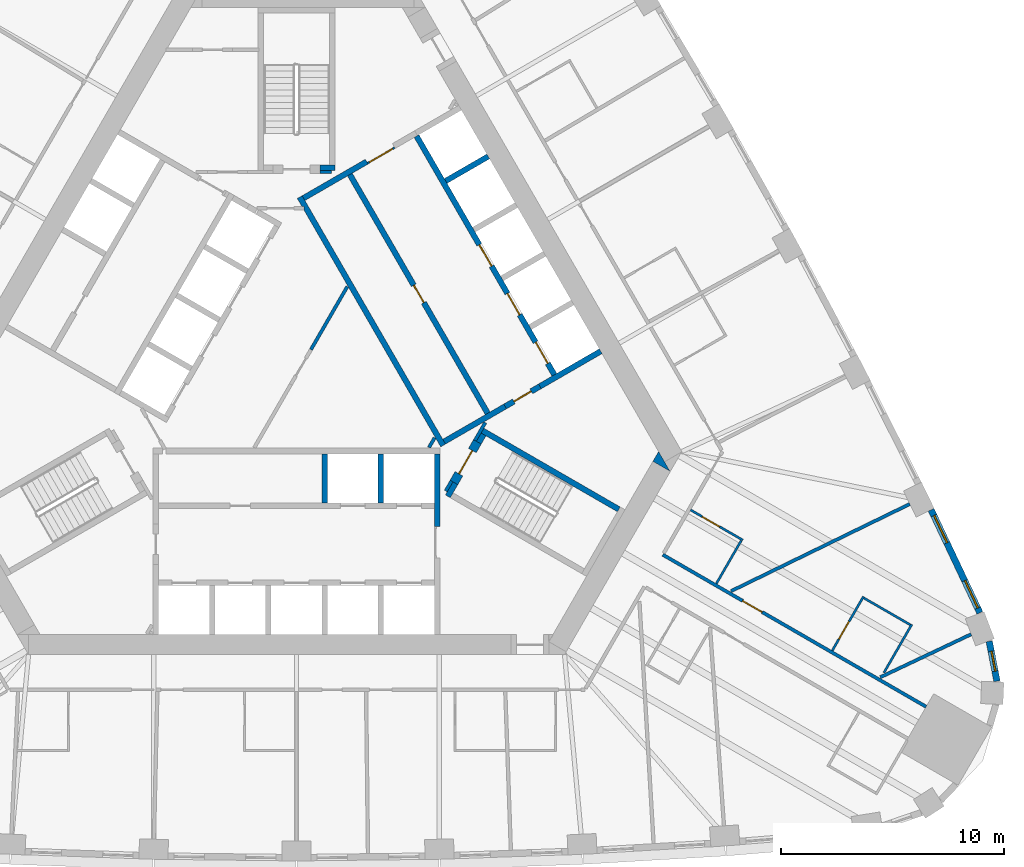
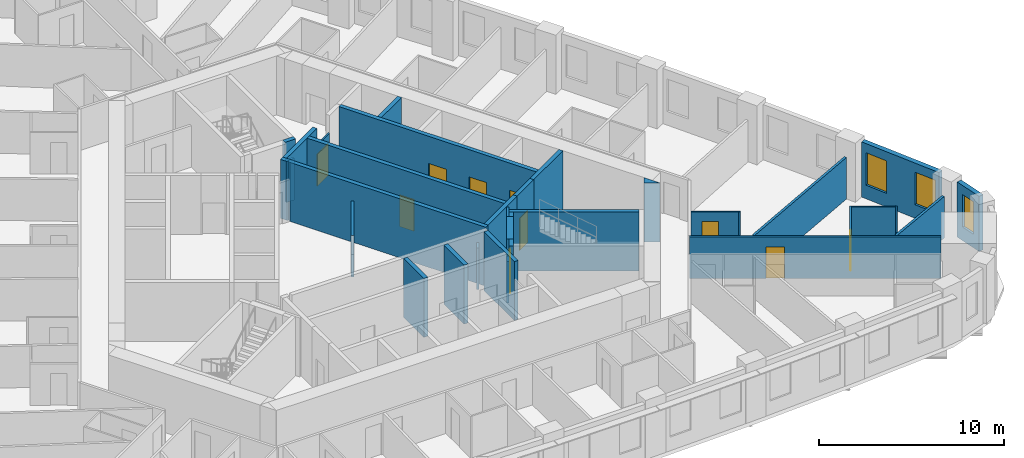
# One storey, part 8 of 13: 33 walls, 10 doors, 3 windows, 13 openings.
"""IFC4 building model written with IfcOpenShell, lengths in metres."""

from ifc_helpers import new_model, si_unit, direction, frame, frame_2d, origin, place, context, subcontext, project, spatial, polyline, rectangle, outline, extrude, material, layer, layer_set, type_object, element, fill, save


model = new_model("IFC4")

# Units and contexts
model_context = context("Model", 3, precision=1e-05, world=origin(), true_north=direction((0.0, 1.0)))
body_context = subcontext(model_context, "Body", "Model", "MODEL_VIEW")
ifc_project = project(units=[si_unit("LENGTHUNIT", "METRE"), si_unit("AREAUNIT", "SQUARE_METRE"), si_unit("VOLUMEUNIT", "CUBIC_METRE"), si_unit("PLANEANGLEUNIT", "RADIAN"), si_unit("MASSUNIT", "GRAM", prefix="KILO")], contexts=[model_context])

# Site, building, storey
site_placement = place(None, origin())
site = spatial("IfcSite", under=ifc_project, at=site_placement, CompositionType="ELEMENT")
building_placement = place(site_placement, origin())
building = spatial("IfcBuilding", under=site, at=building_placement, Name="Mestral Congress Tower", CompositionType="ELEMENT")
storey_placement = place(building_placement, frame((0.0, 0.0, 83.699951171875)))
storey = spatial("IfcBuildingStorey", under=building, at=storey_placement, Name="L19", CompositionType="ELEMENT", Elevation=83.699951171875)

# Walls
ifc_material_1 = material(Name="Fire-rated board partition")
ifc_layer_1 = layer(ifc_material_1, 0.14990234375)
ifc_layer_set_1 = layer_set([ifc_layer_1], Name="Fire-rated board partition")
wall_type_1 = type_object("IfcWallType", Name="Core partition 150", PredefinedType="PARTITIONING", material=ifc_layer_set_1)
wall_1_placement = place(storey_placement, frame((6.94482421875, -5.22216796875, 0.0), z_axis=(0.0, 0.0, 1.0), x_axis=(-0.499818422106, -0.866130212453, 0.0)))
element("IfcWall", 1, at=wall_1_placement, inside=storey, type_object=wall_type_1, Name="L19 core wall", PredefinedType="PARTITIONING", context=body_context, shape_type="SweptSolid", body=[
    extrude(rectangle(XDim=0.513916015625, YDim=0.14990234375, at=frame_2d((0.2568359375, 0.0))), origin(), (0.0, 0.0, 1.0), 2.75),
])
wall_2_placement = place(storey_placement, frame((5.935791015625, -3.718017578125, 0.0), z_axis=(0.0, 0.0, 1.0), x_axis=(0.499890179513, 0.866088799389, 0.0)))
element("IfcWall", 2, at=wall_2_placement, inside=storey, type_object=wall_type_1, Name="L19 core wall", PredefinedType="PARTITIONING", context=body_context, shape_type="SweptSolid", body=[
    extrude(rectangle(XDim=0.50390625, YDim=0.14990234375, at=frame_2d((0.251953125, 0.0))), origin(), (0.0, 0.0, 1.0), 2.75),
])
wall_3_placement = place(storey_placement, frame((0.64501953125, 0.6669921875, 0.0), z_axis=(0.0, 0.0, 1.0), x_axis=(0.499977178999, 0.866038579095, 0.0)))
element("IfcWall", 3, at=wall_3_placement, inside=storey, type_object=wall_type_1, Name="L19 core wall", PredefinedType="PARTITIONING", context=body_context, shape_type="SweptSolid", body=[
    extrude(rectangle(XDim=3.263427734375, YDim=0.14990234375, at=frame_2d((1.6318359375, 0.0))), origin(), (0.0, 0.0, 1.0), 2.75),
])
wall_4_placement = place(storey_placement, frame((1.050048828125, 8.62548828125, 0.0), z_axis=(0.0, 0.0, 1.0), x_axis=(1.0, 0.0, 0.0)))
element("IfcWall", 4, at=wall_4_placement, inside=storey, type_object=wall_type_1, Name="L19 core wall", PredefinedType="PARTITIONING", context=body_context, shape_type="SweptSolid", body=[
    extrude(rectangle(XDim=0.513916015625, YDim=0.14990234375, at=frame_2d((0.2568359375, 0.0))), origin(), (0.0, 0.0, 1.0), 2.75),
])

# Wall, opening, door
ifc_layer_2 = layer(ifc_material_1, 0.090087890625)
ifc_layer_set_2 = layer_set([ifc_layer_2], Name="Fire-rated board partition")
wall_type_2 = type_object("IfcWallType", Name="Core partition 150 door-wall 90", PredefinedType="PARTITIONING", material=ifc_layer_set_2)
wall_5_placement = place(storey_placement, frame((3.182861328125, 9.02001953125, 0.0), z_axis=(0.0, 0.0, 1.0), x_axis=(0.866034573852, 0.49998411664, 0.0)))
wall_5 = element("IfcWall", 5, at=wall_5_placement, inside=storey, type_object=wall_type_2, Name="L19 door wall", PredefinedType="PARTITIONING", context=body_context, shape_type="SweptSolid", body=[
    extrude(rectangle(XDim=1.39990234375, YDim=0.090087890625, at=frame_2d((0.699951171875, 0.0))), origin(), (0.0, 0.0, 1.0), 2.75),
])
opening_1_placement = place(wall_5_placement, frame((0.10009765625, 0.0, 0.0)))
opening_1 = element("IfcOpeningElement", 6, at=opening_1_placement, cuts=wall_5, Name="Opening LB1-WL2", PredefinedType="OPENING", context=body_context, shape_type="SweptSolid", body=[
    extrude(rectangle(XDim=1.199951171875, YDim=2.10009765625, at=frame_2d((0.60009765625, 1.050048828125))), frame((0.0, 0.054931640625, 0.0), z_axis=(0.0, -1.0, 0.0), x_axis=(1.0, 0.0, 0.0)), (0.0, 0.0, 1.0), 0.110107421875),
])
ifc_material_2 = material(Name="Fire-rated steel door set", Category="steel")
door_type_1 = type_object("IfcDoorType", Name="Core door LB 1200x2100", OperationType="SINGLE_SWING_LEFT", PredefinedType="DOOR", material=ifc_material_2)
door_1_placement = place(opening_1_placement, origin())
door_1 = element("IfcDoor", 7, at=door_1_placement, inside=storey, type_object=door_type_1, Name="Door LB1-WL2", OperationType="SINGLE_SWING_LEFT", OverallHeight=2.10009765625, OverallWidth=1.199951171875, PredefinedType="DOOR", context=body_context, shape_type="SweptSolid", body=[
    extrude(rectangle(XDim=1.199951171875, YDim=2.10009765625, at=frame_2d((0.60009765625, 1.050048828125))), frame((0.0, 0.02490234375, 0.0), z_axis=(0.0, -1.0, 0.0), x_axis=(1.0, 0.0, 0.0)), (0.0, 0.0, 1.0), 0.050048828125),
])
fill(opening_1, door_1)

# Wall
ifc_material_3 = material(Name="Concrete C60/75", Category="concrete")
ifc_layer_3 = layer(ifc_material_3, 0.89990234375)
ifc_layer_set_3 = layer_set([ifc_layer_3], Name="Concrete C60/75")
wall_type_3 = type_object("IfcWallType", Name="Core wall RC 900", PredefinedType="SOLIDWALL", material=ifc_layer_set_3)
placement = place(storey_placement, origin())
element("IfcWall", 8, at=placement, inside=storey, type_object=wall_type_3, Name="L19 core wall", PredefinedType="SOLIDWALL", context=body_context, shape_type="SweptSolid", body=[
    extrude(outline(polyline([(16.223388671875, -3.900146484375), (16.731689453125, -4.780029296875), (15.969482421875, -4.340087890625), (16.223388671875, -3.900146484375)])), origin(), (0.0, 0.0, 1.0), 3.900146484375),
])

# Wall, opening, window
ifc_material_4 = material(Name="Precast concrete C40/50 with limestone facing", Category="masonry")
ifc_layer_4 = layer(ifc_material_4, 0.2900390625)
ifc_layer_set_4 = layer_set([ifc_layer_4], Name="Precast concrete C40/50 with limestone facing")
wall_type_4 = type_object("IfcWallType", Name="Facade stone wall 290", PredefinedType="SOLIDWALL", material=ifc_layer_set_4)
wall_7_placement = place(storey_placement, frame((31.385498046875, -14.189208984375, 0.0), z_axis=(0.0, 0.0, 1.0), x_axis=(-0.190409913989, 0.981704672829, 0.0)))
wall_7 = element("IfcWall", 9, at=wall_7_placement, inside=storey, type_object=wall_type_4, Name="Facade wall K0-3", PredefinedType="SOLIDWALL", context=body_context, shape_type="SweptSolid", body=[
    extrude(rectangle(XDim=1.8193359375, YDim=0.2900390625, at=frame_2d((0.90966796875, 0.0))), origin(), (0.0, 0.0, 1.0), 3.650146484375),
])
opening_2_placement = place(wall_7_placement, frame((0.459716796875, 0.0, 0.89990234375)))
opening_2 = element("IfcOpeningElement", 10, at=opening_2_placement, cuts=wall_7, Name="Opening W3", PredefinedType="OPENING", context=body_context, shape_type="SweptSolid", body=[
    extrude(rectangle(XDim=0.89990234375, YDim=2.14990234375, at=frame_2d((0.449951171875, 1.074951171875))), frame((0.0, 0.155029296875, 0.0), z_axis=(0.0, -1.0, 0.0), x_axis=(1.0, 0.0, 0.0)), (0.0, 0.0, 1.0), 0.31005859375),
])
ifc_material_5 = material(Name="Clear low-emissivity double glazing", Category="glass")
window_type_1 = type_object("IfcWindowType", Name="Facade punched window 900 x 2150 sill 900", PartitioningType="SINGLE_PANEL", PredefinedType="WINDOW", material=ifc_material_5)
window_1_placement = place(opening_2_placement, origin())
window_1 = element("IfcWindow", 11, at=window_1_placement, inside=storey, type_object=window_type_1, Name="Window K0-3", OverallHeight=2.14990234375, OverallWidth=0.89990234375, PartitioningType="SINGLE_PANEL", PredefinedType="WINDOW", context=body_context, shape_type="SweptSolid", body=[
    extrude(rectangle(XDim=0.89990234375, YDim=2.14990234375, at=frame_2d((0.449951171875, 1.074951171875))), frame((0.0, 0.01513671875, 0.0), z_axis=(0.0, -1.0, 0.0), x_axis=(1.0, 0.0, 0.0)), (0.0, 0.0, 1.0), 0.06005859375),
])
fill(opening_2, window_1)

# Wall, openings, windows
wall_8_placement = place(storey_placement, frame((30.61962890625, -11.127197265625, 0.0), z_axis=(0.0, 0.0, 1.0), x_axis=(-0.427543726596, 0.903994669148, 0.0)))
wall_8 = element("IfcWall", 12, at=wall_8_placement, inside=storey, type_object=wall_type_4, Name="Facade wall F1-00", PredefinedType="SOLIDWALL", context=body_context, shape_type="SweptSolid", body=[
    extrude(rectangle(XDim=5.106689453125, YDim=0.2900390625, at=frame_2d((2.55322265625, 0.0))), origin(), (0.0, 0.0, 1.0), 3.650146484375),
])
opening_3_placement = place(wall_8_placement, frame((0.240478515625, 0.0, 0.89990234375)))
opening_3 = element("IfcOpeningElement", 13, at=opening_3_placement, cuts=wall_8, Name="Opening W2", PredefinedType="OPENING", context=body_context, shape_type="SweptSolid", body=[
    extrude(rectangle(XDim=1.35009765625, YDim=2.14990234375, at=frame_2d((0.675048828125, 1.074951171875))), frame((0.0, 0.155029296875, 0.0), z_axis=(0.0, -1.0, 0.0), x_axis=(1.0, 0.0, 0.0)), (0.0, 0.0, 1.0), 0.31005859375),
])
opening_4_placement = place(wall_8_placement, frame((3.47119140625, 0.0, 0.89990234375)))
opening_4 = element("IfcOpeningElement", 14, at=opening_4_placement, cuts=wall_8, Name="Opening W2", PredefinedType="OPENING", context=body_context, shape_type="SweptSolid", body=[
    extrude(rectangle(XDim=1.35009765625, YDim=2.14990234375, at=frame_2d((0.675048828125, 1.074951171875))), frame((0.0, 0.155029296875, 0.0), z_axis=(0.0, -1.0, 0.0), x_axis=(1.0, 0.0, 0.0)), (0.0, 0.0, 1.0), 0.31005859375),
])
window_type_2 = type_object("IfcWindowType", Name="Facade punched window 1350 x 2150 sill 900", PartitioningType="DOUBLE_PANEL_VERTICAL", PredefinedType="WINDOW", material=ifc_material_5)
window_2_placement = place(opening_3_placement, origin())
window_2 = element("IfcWindow", 15, at=window_2_placement, inside=storey, type_object=window_type_2, Name="Window F1-00a", OverallHeight=2.14990234375, OverallWidth=1.35009765625, PartitioningType="DOUBLE_PANEL_VERTICAL", PredefinedType="WINDOW", context=body_context, shape_type="SweptSolid", body=[
    extrude(rectangle(XDim=1.35009765625, YDim=2.14990234375, at=frame_2d((0.675048828125, 1.074951171875))), frame((0.0, 0.01513671875, 0.0), z_axis=(0.0, -1.0, 0.0), x_axis=(1.0, 0.0, 0.0)), (0.0, 0.0, 1.0), 0.06005859375),
])
fill(opening_3, window_2)
window_3_placement = place(opening_4_placement, origin())
window_3 = element("IfcWindow", 16, at=window_3_placement, inside=storey, type_object=window_type_2, Name="Window F1-00b", OverallHeight=2.14990234375, OverallWidth=1.35009765625, PartitioningType="DOUBLE_PANEL_VERTICAL", PredefinedType="WINDOW", context=body_context, shape_type="SweptSolid", body=[
    extrude(rectangle(XDim=1.35009765625, YDim=2.14990234375, at=frame_2d((0.675048828125, 1.074951171875))), frame((0.0, 0.01513671875, 0.0), z_axis=(0.0, -1.0, 0.0), x_axis=(1.0, 0.0, 0.0)), (0.0, 0.0, 1.0), 0.06005859375),
])
fill(opening_4, window_3)

# Wall, opening, door
ifc_material_6 = material(Name="Gypsum board partition on metal studs with mineral wool", Category="composite")
ifc_layer_5 = layer(ifc_material_6, 0.10009765625)
ifc_layer_set_5 = layer_set([ifc_layer_5], Name="Gypsum board partition on metal studs with mineral wool")
wall_type_5 = type_object("IfcWallType", Name="Hotel partition wall 100", PredefinedType="PARTITIONING", material=ifc_layer_set_5)
wall_9_placement = place(storey_placement, frame((25.404052734375, -10.39453125, 0.0), z_axis=(0.0, 0.0, 1.0), x_axis=(-0.500011755427, -0.866018616679, 0.0)))
wall_9 = element("IfcWall", 17, at=wall_9_placement, inside=storey, type_object=wall_type_5, Name="L19-h-pod10a", PredefinedType="PARTITIONING", context=body_context, shape_type="SweptSolid", body=[
    extrude(rectangle(XDim=2.80029296875, YDim=0.10009765625, at=frame_2d((1.400146484375, 0.0))), origin(), (0.0, 0.0, 1.0), 2.75),
])
opening_5_placement = place(wall_9_placement, frame((1.300048828125, 0.0, 0.0)))
opening_5 = element("IfcOpeningElement", 18, at=opening_5_placement, cuts=wall_9, Name="Opening H06-019", PredefinedType="OPENING", context=body_context, shape_type="SweptSolid", body=[
    extrude(rectangle(XDim=0.89990234375, YDim=2.10009765625, at=frame_2d((0.449951171875, 1.050048828125))), frame((0.0, 0.06005859375, 0.0), z_axis=(0.0, -1.0, 0.0), x_axis=(1.0, 0.0, 0.0)), (0.0, 0.0, 1.0), 0.1201171875),
])
ifc_material_7 = material(Name="Timber veneer door leaf in timber frame", Category="wood")
door_type_2 = type_object("IfcDoorType", Name="Bathroom door 900", OperationType="SINGLE_SWING_LEFT", PredefinedType="DOOR", material=ifc_material_7)
door_2_placement = place(opening_5_placement, origin())
door_2 = element("IfcDoor", 19, at=door_2_placement, inside=storey, type_object=door_type_2, Name="L19-h-d019", OperationType="SINGLE_SWING_LEFT", OverallHeight=2.10009765625, OverallWidth=0.89990234375, PredefinedType="DOOR", context=body_context, shape_type="SweptSolid", body=[
    extrude(rectangle(XDim=0.89990234375, YDim=2.10009765625, at=frame_2d((0.449951171875, 1.050048828125))), frame((0.0, 0.02490234375, 0.0), z_axis=(0.0, -1.0, 0.0), x_axis=(1.0, 0.0, 0.0)), (0.0, 0.0, 1.0), 0.050048828125),
])
fill(opening_5, door_2)

# Walls
wall_10_placement = place(storey_placement, frame((25.42236328125, -10.462890625, 0.0), z_axis=(0.0, 0.0, 1.0), x_axis=(0.866024647952, -0.500001309137, 0.0)))
element("IfcWall", 20, at=wall_10_placement, inside=storey, type_object=wall_type_5, Name="L19-h-pod10b", PredefinedType="PARTITIONING", context=body_context, shape_type="SweptSolid", body=[
    extrude(rectangle(XDim=2.39990234375, YDim=0.10009765625, at=frame_2d((1.199951171875, 0.0))), origin(), (0.0, 0.0, 1.0), 2.75),
])
wall_11_placement = place(storey_placement, frame((26.319091796875, -13.809814453125, 0.0), z_axis=(0.0, 0.0, 1.0), x_axis=(0.499961950354, 0.866047370643, 0.0)))
element("IfcWall", 21, at=wall_11_placement, inside=storey, type_object=wall_type_5, Name="L19-h-pod10c", PredefinedType="PARTITIONING", context=body_context, shape_type="SweptSolid", body=[
    extrude(rectangle(XDim=2.500244140625, YDim=0.10009765625, at=frame_2d((1.25, 0.0))), origin(), (0.0, 0.0, 1.0), 2.75),
])

# Wall, opening, door
wall_12_placement = place(storey_placement, frame((19.99560546875, -7.86669921875, 0.0), z_axis=(0.0, 0.0, 1.0), x_axis=(-0.866019956843, 0.50000943426, 0.0)))
wall_12 = element("IfcWall", 22, at=wall_12_placement, inside=storey, type_object=wall_type_5, Name="L19-h-pod11a", PredefinedType="PARTITIONING", context=body_context, shape_type="SweptSolid", body=[
    extrude(rectangle(XDim=2.7001953125, YDim=0.10009765625, at=frame_2d((1.35009765625, 0.0))), origin(), (0.0, 0.0, 1.0), 2.75),
])
opening_6_placement = place(wall_12_placement, frame((1.199951171875, 0.0, 0.0)))
opening_6 = element("IfcOpeningElement", 23, at=opening_6_placement, cuts=wall_12, Name="Opening H06-021", PredefinedType="OPENING", context=body_context, shape_type="SweptSolid", body=[
    extrude(rectangle(XDim=0.89990234375, YDim=2.10009765625, at=frame_2d((0.449951171875, 1.050048828125))), frame((0.0, 0.06005859375, 0.0), z_axis=(0.0, -1.0, 0.0), x_axis=(1.0, 0.0, 0.0)), (0.0, 0.0, 1.0), 0.1201171875),
])
door_3_placement = place(opening_6_placement, origin())
door_3 = element("IfcDoor", 24, at=door_3_placement, inside=storey, type_object=door_type_2, Name="L19-h-d021", OperationType="SINGLE_SWING_LEFT", OverallHeight=2.10009765625, OverallWidth=0.89990234375, PredefinedType="DOOR", context=body_context, shape_type="SweptSolid", body=[
    extrude(rectangle(XDim=0.89990234375, YDim=2.10009765625, at=frame_2d((0.449951171875, 1.050048828125))), frame((0.0, 0.02490234375, 0.0), z_axis=(0.0, -1.0, 0.0), x_axis=(1.0, 0.0, 0.0)), (0.0, 0.0, 1.0), 0.050048828125),
])
fill(opening_6, door_3)

# Wall
wall_13_placement = place(storey_placement, frame((19.922119140625, -7.893798828125, 0.0), z_axis=(0.0, 0.0, 1.0), x_axis=(-0.499995378973, -0.866028071719, 0.0)))
element("IfcWall", 25, at=wall_13_placement, inside=storey, type_object=wall_type_5, Name="L19-h-pod11b", PredefinedType="PARTITIONING", context=body_context, shape_type="SweptSolid", body=[
    extrude(rectangle(XDim=2.2197265625, YDim=0.10009765625, at=frame_2d((1.10986328125, 0.0))), origin(), (0.0, 0.0, 1.0), 2.75),
])

# Wall, opening, door
ifc_layer_6 = layer(ifc_material_6, 0.14990234375)
ifc_layer_set_6 = layer_set([ifc_layer_6], Name="Gypsum board partition on metal studs with mineral wool")
wall_type_6 = type_object("IfcWallType", Name="Hotel partition wall 150", PredefinedType="PARTITIONING", material=ifc_layer_set_6)
wall_14_placement = place(storey_placement, frame((16.412353515625, -8.52294921875, 0.0), z_axis=(0.0, 0.0, 1.0), x_axis=(0.866025629663, -0.499999608766, 0.0)))
wall_14 = element("IfcWall", 26, at=wall_14_placement, inside=storey, type_object=wall_type_6, Name="L19-h-cw01", PredefinedType="PARTITIONING", context=body_context, shape_type="SweptSolid", body=[
    extrude(rectangle(XDim=13.62353515625, YDim=0.14990234375, at=frame_2d((6.811767578125, 0.0))), origin(), (0.0, 0.0, 1.0), 2.75),
])
opening_7_placement = place(wall_14_placement, frame((4.134033203125, 0.0, 0.0)))
opening_7 = element("IfcOpeningElement", 27, at=opening_7_placement, cuts=wall_14, Name="Opening H06-018", PredefinedType="OPENING", context=body_context, shape_type="SweptSolid", body=[
    extrude(rectangle(XDim=1.0, YDim=2.10009765625, at=frame_2d((0.5, 1.050048828125))), frame((0.0, 0.0849609375, 0.0), z_axis=(0.0, -1.0, 0.0), x_axis=(1.0, 0.0, 0.0)), (0.0, 0.0, 1.0), 0.169921875),
])
ifc_material_8 = material(Name="Timber veneer door leaf in metal frame", Category="wood")
door_type_3 = type_object("IfcDoorType", Name="Guest room entrance door 1000", OperationType="SINGLE_SWING_LEFT", PredefinedType="DOOR", material=ifc_material_8)
door_4_placement = place(opening_7_placement, origin())
door_4 = element("IfcDoor", 28, at=door_4_placement, inside=storey, type_object=door_type_3, Name="L19-h-d018", OperationType="SINGLE_SWING_LEFT", OverallHeight=2.10009765625, OverallWidth=1.0, PredefinedType="DOOR", context=body_context, shape_type="SweptSolid", body=[
    extrude(rectangle(XDim=1.0, YDim=2.10009765625, at=frame_2d((0.5, 1.050048828125))), frame((0.0, 0.02490234375, 0.0), z_axis=(0.0, -1.0, 0.0), x_axis=(1.0, 0.0, 0.0)), (0.0, 0.0, 1.0), 0.050048828125),
])
fill(opening_7, door_4)

# Walls
wall_15_placement = place(storey_placement, frame((27.478515625, -6.2509765625, 0.0), z_axis=(0.0, 0.0, 1.0), x_axis=(-0.898945877276, -0.438059710231, 0.0)))
element("IfcWall", 29, at=wall_15_placement, inside=storey, type_object=wall_type_6, Name="L19-h-pw28", PredefinedType="PARTITIONING", context=body_context, shape_type="SweptSolid", body=[
    extrude(rectangle(XDim=8.909423828125, YDim=0.14990234375, at=frame_2d((4.45458984375, 0.0))), origin(), (0.0, 0.0, 1.0), 2.75),
])
wall_16_placement = place(storey_placement, frame((30.23095703125, -12.08544921875, 0.0), z_axis=(0.0, 0.0, 1.0), x_axis=(-0.904001132572, -0.427530060122, 0.0)))
element("IfcWall", 30, at=wall_16_placement, inside=storey, type_object=wall_type_6, Name="L19-h-pw29", PredefinedType="PARTITIONING", context=body_context, shape_type="SweptSolid", body=[
    extrude(rectangle(XDim=4.509521484375, YDim=0.14990234375, at=frame_2d((2.2548828125, 0.0))), origin(), (0.0, 0.0, 1.0), 2.75),
])
ifc_layer_7 = layer(ifc_material_3, 0.25)
ifc_layer_set_7 = layer_set([ifc_layer_7], Name="Concrete C60/75")
wall_type_7 = type_object("IfcWallType", Name="Shaft wall RC 250", PredefinedType="SOLIDWALL", material=ifc_layer_set_7)
wall_17_placement = place(storey_placement, frame((6.300048828125, -7.26806640625, 0.0), z_axis=(0.0, 0.0, 1.0), x_axis=(0.0, 1.0, 0.0)))
element("IfcWall", 31, at=wall_17_placement, inside=storey, type_object=wall_type_7, Name="L19 core wall", PredefinedType="SOLIDWALL", context=body_context, shape_type="SweptSolid", body=[
    extrude(rectangle(XDim=3.26806640625, YDim=0.25, at=frame_2d((1.634033203125, 0.0))), origin(), (0.0, 0.0, 1.0), 3.900146484375),
])
for number, where, z_axis, x_axis, name in (
    (32, (3.780029296875, -4.0, 0.0), (0.0, 0.0, 1.0), (0.0, -1.0, 0.0), "L19 core wall"),
    (33, (1.260009765625, -4.0, 0.0), (0.0, 0.0, 1.0), (0.0, -1.0, 0.0), "L19 core wall"),
):
    element("IfcWall", number, at=place(storey_placement, frame(where, z_axis=z_axis, x_axis=x_axis)), inside=storey, type_object=wall_type_7, Name=name, PredefinedType="SOLIDWALL", context=body_context, shape_type="SweptSolid", body=[
        extrude(rectangle(XDim=2.199951171875, YDim=0.25, at=frame_2d((1.10009765625, 0.0))), origin(), (0.0, 0.0, 1.0), 3.900146484375),
    ])
wall_18_placement = place(storey_placement, frame((13.62890625, 0.593994140625, 0.0), z_axis=(0.0, 0.0, 1.0), x_axis=(-0.86602790099, -0.499995674689, 0.0)))
element("IfcWall", 34, at=wall_18_placement, inside=storey, type_object=wall_type_7, Name="L19 core wall", PredefinedType="SOLIDWALL", context=body_context, shape_type="SweptSolid", body=[
    extrude(rectangle(XDim=3.1455078125, YDim=0.25, at=frame_2d((1.57275390625, 0.0))), origin(), (0.0, 0.0, 1.0), 3.900146484375),
])
element("IfcWall", 35, at=placement, inside=storey, type_object=wall_type_7, Name="L19 core wall", PredefinedType="SOLIDWALL", context=body_context, shape_type="SweptSolid", body=[
    extrude(outline(polyline([(0.334716796875, 6.925048828125), (0.334716796875, 7.074951171875), (0.334716796875, 7.074951171875), (0.334716796875, 7.0751953125), (0.245361328125, 7.0751953125), (0.079345703125, 7.362548828125), (0.03515625, 7.439208984375), (0.251708984375, 7.564208984375), (0.376708984375, 7.34765625), (6.551513671875, -3.34765625), (6.676513671875, -3.564208984375), (6.460205078125, -3.689208984375), (4.896728515625, -0.981201171875), (0.33203125, 6.9248046875), (0.334716796875, 6.9248046875), (0.334716796875, 6.925048828125), (0.334716796875, 6.925048828125)])), origin(), (0.0, 0.0, 1.0), 3.900146484375),
])
wall_20_placement = place(storey_placement, frame((0.314208984375, 7.455810546875, 0.0), z_axis=(0.0, 0.0, 1.0), x_axis=(0.866013897511, 0.50001992892, 0.0)))
element("IfcWall", 36, at=wall_20_placement, inside=storey, type_object=wall_type_7, Name="L19 core wall", PredefinedType="SOLIDWALL", context=body_context, shape_type="SweptSolid", body=[
    extrude(rectangle(XDim=3.267822265625, YDim=0.25, at=frame_2d((1.6337890625, 0.0))), origin(), (0.0, 0.0, 1.0), 3.900146484375),
])
wall_21_placement = place(storey_placement, frame((6.614013671875, -3.4560546875, 0.0), z_axis=(0.0, 0.0, 1.0), x_axis=(0.86602447079, 0.500001615989, 0.0)))
element("IfcWall", 37, at=wall_21_placement, inside=storey, type_object=wall_type_7, Name="L19 core wall", PredefinedType="SOLIDWALL", context=body_context, shape_type="SweptSolid", body=[
    extrude(rectangle(XDim=3.154296875, YDim=0.25, at=frame_2d((1.5771484375, 0.0))), origin(), (0.0, 0.0, 1.0), 3.900146484375),
])
wall_22_placement = place(storey_placement, frame((6.68359375, 8.2236328125, 0.0), z_axis=(0.0, 0.0, 1.0), x_axis=(0.86605622881, 0.499946605688, 0.0)))
element("IfcWall", 38, at=wall_22_placement, inside=storey, type_object=wall_type_7, Name="L19 core wall", PredefinedType="SOLIDWALL", context=body_context, shape_type="SweptSolid", body=[
    extrude(rectangle(XDim=2.199951171875, YDim=0.25, at=frame_2d((1.10009765625, 0.0))), origin(), (0.0, 0.0, 1.0), 3.900146484375),
])

# Wall, openings, doors
wall_23_placement = place(storey_placement, frame((11.552978515625, -0.460205078125, 0.0), z_axis=(0.0, 0.0, 1.0), x_axis=(-0.500006514828, 0.866021642414, 0.0)))
wall_23 = element("IfcWall", 39, at=wall_23_placement, inside=storey, type_object=wall_type_7, Name="L19 door wall", PredefinedType="SOLIDWALL", context=body_context, shape_type="SweptSolid", body=[
    extrude(rectangle(XDim=12.349853515625, YDim=0.25, at=frame_2d((6.1748046875, 0.0))), origin(), (0.0, 0.0, 1.0), 3.900146484375),
])
opening_8_placement = place(wall_23_placement, frame((0.5849609375, 0.0, 0.0)))
opening_8 = element("IfcOpeningElement", 40, at=opening_8_placement, cuts=wall_23, Name="Opening LD-NEA1", PredefinedType="OPENING", context=body_context, shape_type="SweptSolid", body=[
    extrude(rectangle(XDim=1.10009765625, YDim=2.10009765625, at=frame_2d((0.550048828125, 1.050048828125))), frame((0.0, 0.135009765625, 0.0), z_axis=(0.0, -1.0, 0.0), x_axis=(1.0, 0.0, 0.0)), (0.0, 0.0, 1.0), 0.27001953125),
])
opening_9_placement = place(wall_23_placement, frame((3.10498046875, 0.0, 0.0)))
opening_9 = element("IfcOpeningElement", 41, at=opening_9_placement, cuts=wall_23, Name="Opening LD-NEA2", PredefinedType="OPENING", context=body_context, shape_type="SweptSolid", body=[
    extrude(rectangle(XDim=1.10009765625, YDim=2.10009765625, at=frame_2d((0.550048828125, 1.050048828125))), frame((0.0, 0.135009765625, 0.0), z_axis=(0.0, -1.0, 0.0), x_axis=(1.0, 0.0, 0.0)), (0.0, 0.0, 1.0), 0.27001953125),
])
opening_10_placement = place(wall_23_placement, frame((5.625, 0.0, 0.0)))
opening_10 = element("IfcOpeningElement", 42, at=opening_10_placement, cuts=wall_23, Name="Opening LD-NEA3", PredefinedType="OPENING", context=body_context, shape_type="SweptSolid", body=[
    extrude(rectangle(XDim=1.10009765625, YDim=2.10009765625, at=frame_2d((0.550048828125, 1.050048828125))), frame((0.0, 0.135009765625, 0.0), z_axis=(0.0, -1.0, 0.0), x_axis=(1.0, 0.0, 0.0)), (0.0, 0.0, 1.0), 0.27001953125),
])
door_type_4 = type_object("IfcDoorType", Name="Core door LD 1100x2100", OperationType="DOUBLE_DOOR_SLIDING", PredefinedType="DOOR", material=ifc_material_2)
door_5_placement = place(opening_8_placement, origin())
door_5 = element("IfcDoor", 43, at=door_5_placement, inside=storey, type_object=door_type_4, Name="Door LD-NEA1", OperationType="DOUBLE_DOOR_SLIDING", OverallHeight=2.10009765625, OverallWidth=1.10009765625, PredefinedType="DOOR", context=body_context, shape_type="SweptSolid", body=[
    extrude(rectangle(XDim=1.10009765625, YDim=2.10009765625, at=frame_2d((0.550048828125, 1.050048828125))), frame((0.0, 0.02490234375, 0.0), z_axis=(0.0, -1.0, 0.0), x_axis=(1.0, 0.0, 0.0)), (0.0, 0.0, 1.0), 0.050048828125),
])
fill(opening_8, door_5)
door_6_placement = place(opening_9_placement, origin())
door_6 = element("IfcDoor", 44, at=door_6_placement, inside=storey, type_object=door_type_4, Name="Door LD-NEA2", OperationType="DOUBLE_DOOR_SLIDING", OverallHeight=2.10009765625, OverallWidth=1.10009765625, PredefinedType="DOOR", context=body_context, shape_type="SweptSolid", body=[
    extrude(rectangle(XDim=1.10009765625, YDim=2.10009765625, at=frame_2d((0.550048828125, 1.050048828125))), frame((0.0, 0.02490234375, 0.0), z_axis=(0.0, -1.0, 0.0), x_axis=(1.0, 0.0, 0.0)), (0.0, 0.0, 1.0), 0.050048828125),
])
fill(opening_9, door_6)
door_7_placement = place(opening_10_placement, origin())
door_7 = element("IfcDoor", 45, at=door_7_placement, inside=storey, type_object=door_type_4, Name="Door LD-NEA3", OperationType="DOUBLE_DOOR_SLIDING", OverallHeight=2.10009765625, OverallWidth=1.10009765625, PredefinedType="DOOR", context=body_context, shape_type="SweptSolid", body=[
    extrude(rectangle(XDim=1.10009765625, YDim=2.10009765625, at=frame_2d((0.550048828125, 1.050048828125))), frame((0.0, 0.02490234375, 0.0), z_axis=(0.0, -1.0, 0.0), x_axis=(1.0, 0.0, 0.0)), (0.0, 0.0, 1.0), 0.050048828125),
])
fill(opening_10, door_7)

# Wall, opening, door
wall_24_placement = place(storey_placement, frame((8.565185546875, -2.185302734375, 0.0), z_axis=(0.0, 0.0, 1.0), x_axis=(-0.499997954832, 0.866026584559, 0.0)))
wall_24 = element("IfcWall", 46, at=wall_24_placement, inside=storey, type_object=wall_type_7, Name="L19 door wall", PredefinedType="SOLIDWALL", context=body_context, shape_type="SweptSolid", body=[
    extrude(rectangle(XDim=12.35009765625, YDim=0.25, at=frame_2d((6.175048828125, 0.0))), origin(), (0.0, 0.0, 1.0), 3.900146484375),
])
opening_11_placement = place(wall_24_placement, frame((5.72509765625, 0.0, 0.0)))
opening_11 = element("IfcOpeningElement", 47, at=opening_11_placement, cuts=wall_24, Name="Opening SR-NEB1", PredefinedType="OPENING", context=body_context, shape_type="SweptSolid", body=[
    extrude(rectangle(XDim=0.89990234375, YDim=2.10009765625, at=frame_2d((0.449951171875, 1.050048828125))), frame((0.0, 0.135009765625, 0.0), z_axis=(0.0, -1.0, 0.0), x_axis=(1.0, 0.0, 0.0)), (0.0, 0.0, 1.0), 0.27001953125),
])
door_type_5 = type_object("IfcDoorType", Name="Core door SR 900x2100", OperationType="SINGLE_SWING_LEFT", PredefinedType="DOOR", material=ifc_material_2)
door_8_placement = place(opening_11_placement, origin())
door_8 = element("IfcDoor", 48, at=door_8_placement, inside=storey, type_object=door_type_5, Name="Door SR-NEB1", OperationType="SINGLE_SWING_LEFT", OverallHeight=2.10009765625, OverallWidth=0.89990234375, PredefinedType="DOOR", context=body_context, shape_type="SweptSolid", body=[
    extrude(rectangle(XDim=0.89990234375, YDim=2.10009765625, at=frame_2d((0.449951171875, 1.050048828125))), frame((0.0, 0.02490234375, 0.0), z_axis=(0.0, -1.0, 0.0), x_axis=(1.0, 0.0, 0.0)), (0.0, 0.0, 1.0), 0.050048828125),
])
fill(opening_11, door_8)

wall_25_placement = place(storey_placement, frame((9.345947265625, -1.878662109375, 0.0), z_axis=(0.0, 0.0, 1.0), x_axis=(0.866047807691, 0.499961193289, 0.0)))
wall_25 = element("IfcWall", 49, at=wall_25_placement, inside=storey, type_object=wall_type_7, Name="L19 door wall", PredefinedType="SOLIDWALL", context=body_context, shape_type="SweptSolid", body=[
    extrude(rectangle(XDim=1.800048828125, YDim=0.25, at=frame_2d((0.89990234375, 0.0))), origin(), (0.0, 0.0, 1.0), 3.900146484375),
])
opening_12_placement = place(wall_25_placement, frame((0.449951171875, 0.0, 0.0)))
opening_12 = element("IfcOpeningElement", 50, at=opening_12_placement, cuts=wall_25, Name="Opening TD1", PredefinedType="OPENING", context=body_context, shape_type="SweptSolid", body=[
    extrude(rectangle(XDim=0.89990234375, YDim=2.10009765625, at=frame_2d((0.449951171875, 1.050048828125))), frame((0.0, 0.135009765625, 0.0), z_axis=(0.0, -1.0, 0.0), x_axis=(1.0, 0.0, 0.0)), (0.0, 0.0, 1.0), 0.27001953125),
])
door_9_placement = place(opening_12_placement, origin())
door_9 = element("IfcDoor", 51, at=door_9_placement, inside=storey, type_object=door_type_5, Name="Door TD1", OperationType="SINGLE_SWING_LEFT", OverallHeight=2.10009765625, OverallWidth=0.89990234375, PredefinedType="DOOR", context=body_context, shape_type="SweptSolid", body=[
    extrude(rectangle(XDim=0.89990234375, YDim=2.10009765625, at=frame_2d((0.449951171875, 1.050048828125))), frame((0.0, 0.02490234375, 0.0), z_axis=(0.0, -1.0, 0.0), x_axis=(1.0, 0.0, 0.0)), (0.0, 0.0, 1.0), 0.050048828125),
])
fill(opening_12, door_9)

# Walls
ifc_layer_8 = layer(ifc_material_3, 0.14990234375)
ifc_layer_set_8 = layer_set([ifc_layer_8], Name="Concrete C60/75")
wall_type_8 = type_object("IfcWallType", Name="Shaft wall RC 250 door-wall 150", PredefinedType="SOLIDWALL", material=ifc_layer_set_8)
wall_26_placement = place(storey_placement, frame((8.459228515625, -2.59912109375, 0.0), z_axis=(0.0, 0.0, 1.0), x_axis=(-0.500041054325, -0.866001699761, 0.0)))
element("IfcWall", 52, at=wall_26_placement, inside=storey, type_object=wall_type_8, Name="L19 core wall", PredefinedType="PARTITIONING", context=body_context, shape_type="SweptSolid", body=[
    extrude(rectangle(XDim=0.9287109375, YDim=0.14990234375, at=frame_2d((0.46435546875, 0.0))), origin(), (0.0, 0.0, 1.0), 3.900146484375),
])
ifc_layer_9 = layer(ifc_material_3, 0.25)
ifc_layer_set_9 = layer_set([ifc_layer_9], Name="Concrete C60/75")
wall_type_9 = type_object("IfcWallType", Name="Stair wall RC 250", PredefinedType="SOLIDWALL", material=ifc_layer_set_9)
wall_27_placement = place(storey_placement, frame((6.780029296875, -5.906494140625, 0.0), z_axis=(0.0, 0.0, 1.0), x_axis=(0.500223362819, 0.865896406789, 0.0)))
element("IfcWall", 53, at=wall_27_placement, inside=storey, type_object=wall_type_9, Name="L19 core wall", PredefinedType="SOLIDWALL", context=body_context, shape_type="SweptSolid", body=[
    extrude(rectangle(XDim=0.675048828125, YDim=0.25, at=frame_2d((0.33740234375, 0.0))), origin(), (0.0, 0.0, 1.0), 3.900146484375),
])
wall_28_placement = place(storey_placement, frame((8.33447265625, -2.96435546875, 0.0), z_axis=(0.0, 0.0, 1.0), x_axis=(0.866016039709, -0.500016218704, 0.0)))
element("IfcWall", 54, at=wall_28_placement, inside=storey, type_object=wall_type_9, Name="L19 core wall", PredefinedType="SOLIDWALL", context=body_context, shape_type="SweptSolid", body=[
    extrude(rectangle(XDim=7.050048828125, YDim=0.25, at=frame_2d((3.52490234375, 0.0))), origin(), (0.0, 0.0, 1.0), 3.900146484375),
])
wall_29_placement = place(storey_placement, frame((8.167724609375, -3.503173828125, 0.0), z_axis=(0.0, 0.0, 1.0), x_axis=(0.49972245349, 0.866185586049, 0.0)))
element("IfcWall", 55, at=wall_29_placement, inside=storey, type_object=wall_type_9, Name="L19 core wall", PredefinedType="SOLIDWALL", context=body_context, shape_type="SweptSolid", body=[
    extrude(rectangle(XDim=0.425048828125, YDim=0.25, at=frame_2d((0.21240234375, 0.0))), origin(), (0.0, 0.0, 1.0), 3.900146484375),
])
wall_30_placement = place(storey_placement, frame((1.050048828125, 8.824951171875, 0.0), z_axis=(0.0, 0.0, 1.0), x_axis=(1.0, 0.0, 0.0)))
element("IfcWall", 56, at=wall_30_placement, inside=storey, type_object=wall_type_9, Name="L19 core wall", PredefinedType="SOLIDWALL", context=body_context, shape_type="SweptSolid", body=[
    extrude(rectangle(XDim=0.675048828125, YDim=0.25, at=frame_2d((0.33740234375, 0.0))), origin(), (0.0, 0.0, 1.0), 3.900146484375),
])

# Wall, opening, door
ifc_layer_10 = layer(ifc_material_3, 0.39990234375)
ifc_layer_set_10 = layer_set([ifc_layer_10], Name="Concrete C60/75")
wall_type_10 = type_object("IfcWallType", Name="Stair wall RC 250 door-wall 400", PredefinedType="SOLIDWALL", material=ifc_layer_set_10)
wall_31_placement = place(storey_placement, frame((7.052734375, -5.2841796875, 0.0), z_axis=(0.0, 0.0, 1.0), x_axis=(0.500078061341, 0.865980330357, 0.0)))
wall_31 = element("IfcWall", 57, at=wall_31_placement, inside=storey, type_object=wall_type_10, Name="L19 door wall", PredefinedType="SOLIDWALL", context=body_context, shape_type="SweptSolid", body=[
    extrude(rectangle(XDim=2.099853515625, YDim=0.39990234375, at=frame_2d((1.0498046875, 0.0))), origin(), (0.0, 0.0, 1.0), 3.900146484375),
])
opening_13_placement = place(wall_31_placement, frame((0.449951171875, 0.0, 0.0)))
opening_13 = element("IfcOpeningElement", 58, at=opening_13_placement, cuts=wall_31, Name="Opening ST-D1", PredefinedType="OPENING", context=body_context, shape_type="SweptSolid", body=[
    extrude(rectangle(XDim=1.199951171875, YDim=2.10009765625, at=frame_2d((0.60009765625, 1.050048828125))), frame((0.0, 0.2099609375, 0.0), z_axis=(0.0, -1.0, 0.0), x_axis=(1.0, 0.0, 0.0)), (0.0, 0.0, 1.0), 0.419921875),
])
door_type_6 = type_object("IfcDoorType", Name="Core door ST 1200x2100", OperationType="SINGLE_SWING_LEFT", PredefinedType="DOOR", material=ifc_material_2)
door_10_placement = place(opening_13_placement, origin())
door_10 = element("IfcDoor", 59, at=door_10_placement, inside=storey, type_object=door_type_6, Name="Door ST-D1", OperationType="SINGLE_SWING_LEFT", OverallHeight=2.10009765625, OverallWidth=1.199951171875, PredefinedType="DOOR", context=body_context, shape_type="SweptSolid", body=[
    extrude(rectangle(XDim=1.199951171875, YDim=2.10009765625, at=frame_2d((0.60009765625, 1.050048828125))), frame((0.0, 0.02490234375, 0.0), z_axis=(0.0, -1.0, 0.0), x_axis=(1.0, 0.0, 0.0)), (0.0, 0.0, 1.0), 0.050048828125),
])
fill(opening_13, door_10)

save(model, "model.ifc")
